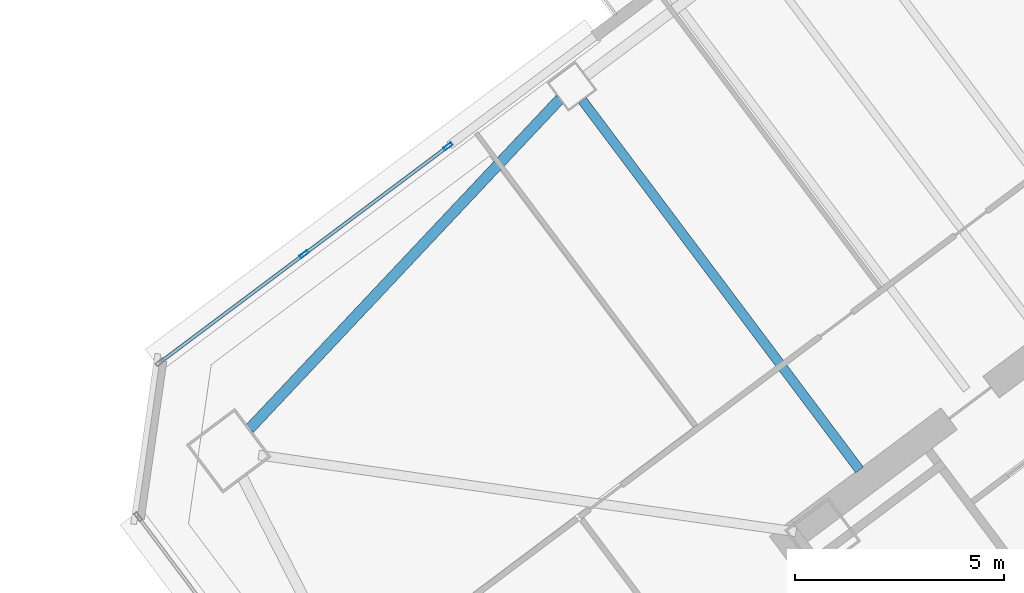
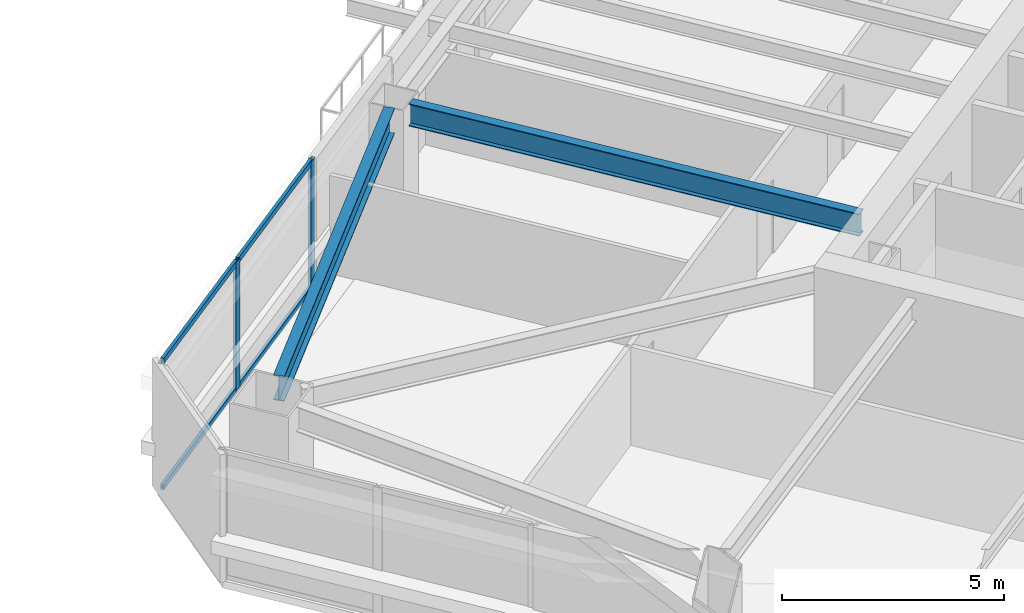
# One storey, part 26 of 44: 6 members, 2 beams, 1 element without a shape of its own.
"""IFC4 building model written with IfcOpenShell, lengths in metres."""

from ifc_helpers import new_model, si_unit, direction, frame, origin, origin_2d, place, context, subcontext, project, spatial, hollow_rectangle, i_section, extrude, material, material_profile, profile_set, type_object, element, aggregate, save


model = new_model("IFC4")

# Units and contexts
model_context = context("Model", 3, precision=1e-05, world=origin(), true_north=direction((0.0, 1.0)))
body_context = subcontext(model_context, "Body", "Model", "MODEL_VIEW")
ifc_project = project(units=[si_unit("LENGTHUNIT", "METRE"), si_unit("AREAUNIT", "SQUARE_METRE"), si_unit("VOLUMEUNIT", "CUBIC_METRE"), si_unit("PLANEANGLEUNIT", "RADIAN"), si_unit("MASSUNIT", "GRAM", prefix="KILO")], contexts=[model_context])

# Site, building, storey
site_placement = place(None, origin())
site = spatial("IfcSite", under=ifc_project, at=site_placement, CompositionType="ELEMENT")
building_placement = place(site_placement, origin())
building = spatial("IfcBuilding", under=site, at=building_placement, Name="Tashvorn Skyway Center", CompositionType="ELEMENT")
storey_placement = place(building_placement, frame((0.0, 0.0, 92.050048828125)))
storey = spatial("IfcBuildingStorey", under=building, at=storey_placement, Name="L24", CompositionType="ELEMENT", Elevation=92.050048828125)

# Beams
ifc_material_1 = material(Name="Steel ASTM A992 Grade 50", Category="steel")
ifc_material_profile_1 = material_profile(ifc_material_1, i_section(OverallWidth=0.22998046875, OverallDepth=0.616943359375, WebThickness=0.01318359375, FlangeThickness=0.022216796875, at=origin_2d()), Name="W24X94")
ifc_profile_set_1 = profile_set([ifc_material_profile_1], Name="Steel ASTM A992 Grade 50")
beam_type_1 = type_object("IfcBeamType", Name="BM-BEAM-W24X94", PredefinedType="BEAM", material=ifc_profile_set_1)
beam_1_placement = place(storey_placement, frame((98.382080078125, 43.823974609375, 3.04150390625), z_axis=(0.599989394744, -0.800007953832, 0.0), x_axis=(0.800007953832, 0.599989394744, 0.0)))
element("IfcBeam", 1, at=beam_1_placement, inside=storey, type_object=beam_type_1, Name="Tower 2 L24 Primary Floor Girder FC-N2", PredefinedType="BEAM", context=body_context, shape_type="SweptSolid", body=[
    extrude(i_section(OverallWidth=0.22998046875, OverallDepth=0.616943359375, WebThickness=0.01318359375, FlangeThickness=0.022216796875, at=origin_2d()), origin(), (0.0, 0.0, 1.0), 11.050048828125),
])
ifc_material_profile_2 = material_profile(ifc_material_1, i_section(OverallWidth=0.256103515625, OverallDepth=0.693115234375, WebThickness=0.014404296875, FlangeThickness=0.023681640625, at=origin_2d()), Name="W27X114")
ifc_profile_set_2 = profile_set([ifc_material_profile_2], Name="Steel ASTM A992 Grade 50")
beam_type_2 = type_object("IfcBeamType", Name="BM-SPANDREL-W27X114", PredefinedType="SPANDREL", material=ifc_profile_set_2)
beam_2_placement = place(storey_placement, frame((97.842041015625, 43.854248046875, 3.00341796875), z_axis=(-0.685484857238, -0.728086883893, 0.0), x_axis=(0.728086883893, -0.685484857238, 0.0)))
element("IfcBeam", 2, at=beam_2_placement, inside=storey, type_object=beam_type_2, Name="Tower 2 L24 Spandrel Beam 09", PredefinedType="SPANDREL", context=body_context, shape_type="SweptSolid", body=[
    extrude(i_section(OverallWidth=0.256103515625, OverallDepth=0.693115234375, WebThickness=0.014404296875, FlangeThickness=0.023681640625, at=origin_2d()), origin(), (0.0, 0.0, 1.0), 10.8369140625),
])

# Curtain wall, members
ifc_material_2 = material(Name="Thermally broken bronze-anodized aluminium 6063-T6", Category="aluminium")
curtain_wall_type = type_object("IfcCurtainWallType", Name="CW-CW-Z2", PredefinedType="NOTDEFINED", material=ifc_material_2)
curtain_wall_placement = place(storey_placement, origin())
curtain_wall = element("IfcCurtainWall", 3, at=curtain_wall_placement, inside=storey, type_object=curtain_wall_type, Name="Tower 2 L24 North Curtain Wall L Glazing Group 1", PredefinedType="NOTDEFINED")
ifc_material_profile_3 = material_profile(ifc_material_2, hollow_rectangle(XDim=0.080078125, YDim=0.219970703125, WallThickness=0.0048828125, at=origin_2d()), Name="ALU-MULL-80x220")
ifc_profile_set_3 = profile_set([ifc_material_profile_3], Name="Thermally broken bronze-anodized aluminium 6063-T6")
member_type_1 = type_object("IfcMemberType", Name="CWM-CW-Z2", PredefinedType="MULLION", material=ifc_profile_set_3)
member_1_placement = place(storey_placement, frame((91.72265625, 40.14208984375, 0.0), z_axis=(0.0, 0.0, 1.0), x_axis=(-0.600001841909, 0.799998618565, 0.0)))
member_1 = element("IfcMember", 4, at=member_1_placement, type_object=member_type_1, Name="CW-Z2 mullion 2", PredefinedType="MULLION", context=body_context, shape_type="SweptSolid", body=[
    extrude(hollow_rectangle(XDim=0.080078125, YDim=0.219970703125, WallThickness=0.0048828125, at=origin_2d()), origin(), (0.0, 0.0, 1.0), 3.550048828125),
])
member_2_placement = place(storey_placement, frame((95.165283203125, 42.72412109375, 0.0), z_axis=(0.0, 0.0, 1.0), x_axis=(-0.600001841909, 0.799998618565, 0.0)))
member_2 = element("IfcMember", 5, at=member_2_placement, type_object=member_type_1, Name="CW-Z2 mullion 3", PredefinedType="MULLION", context=body_context, shape_type="SweptSolid", body=[
    extrude(hollow_rectangle(XDim=0.080078125, YDim=0.219970703125, WallThickness=0.0048828125, at=origin_2d()), origin(), (0.0, 0.0, 1.0), 3.550048828125),
])
ifc_material_profile_4 = material_profile(ifc_material_2, hollow_rectangle(XDim=0.080078125, YDim=0.14990234375, WallThickness=0.00439453125, at=origin_2d()), Name="ALU-TRAN-80x150")
ifc_profile_set_4 = profile_set([ifc_material_profile_4], Name="Thermally broken bronze-anodized aluminium 6063-T6")
member_type_2 = type_object("IfcMemberType", Name="CWT-CW-Z2", PredefinedType="USERDEFINED", material=ifc_profile_set_4)
member_3_placement = place(storey_placement, frame((88.31201171875, 37.583984375, 0.0400390625), z_axis=(0.800006936924, 0.599990750656, 0.0), x_axis=(-0.599990750656, 0.800006936924, 0.0)))
member_3 = element("IfcMember", 6, at=member_3_placement, type_object=member_type_2, Name="CW-Z2 transom 1.1", ObjectType="TRANSOM", PredefinedType="USERDEFINED", context=body_context, shape_type="SweptSolid", body=[
    extrude(hollow_rectangle(XDim=0.080078125, YDim=0.14990234375, WallThickness=0.00439453125, at=origin_2d()), origin(), (0.0, 0.0, 1.0), 4.223388671875),
])
member_4_placement = place(storey_placement, frame((88.31201171875, 37.583984375, 3.510009765625), z_axis=(0.800006936924, 0.599990750656, 0.0), x_axis=(-0.599990750656, 0.800006936924, 0.0)))
member_4 = element("IfcMember", 7, at=member_4_placement, type_object=member_type_2, Name="CW-Z2 transom 1.2", ObjectType="TRANSOM", PredefinedType="USERDEFINED", context=body_context, shape_type="SweptSolid", body=[
    extrude(hollow_rectangle(XDim=0.080078125, YDim=0.14990234375, WallThickness=0.00439453125, at=origin_2d()), origin(), (0.0, 0.0, 1.0), 4.223388671875),
])
member_5_placement = place(storey_placement, frame((91.754638671875, 40.166015625, 0.0400390625), z_axis=(0.800006936924, 0.599990750656, 0.0), x_axis=(-0.599990750656, 0.800006936924, 0.0)))
member_5 = element("IfcMember", 8, at=member_5_placement, type_object=member_type_2, Name="CW-Z2 transom 2.1", ObjectType="TRANSOM", PredefinedType="USERDEFINED", context=body_context, shape_type="SweptSolid", body=[
    extrude(hollow_rectangle(XDim=0.080078125, YDim=0.14990234375, WallThickness=0.00439453125, at=origin_2d()), origin(), (0.0, 0.0, 1.0), 4.223388671875),
])
member_6_placement = place(storey_placement, frame((91.754638671875, 40.166015625, 3.510009765625), z_axis=(0.800006936924, 0.599990750656, 0.0), x_axis=(-0.599990750656, 0.800006936924, 0.0)))
member_6 = element("IfcMember", 9, at=member_6_placement, type_object=member_type_2, Name="CW-Z2 transom 2.2", ObjectType="TRANSOM", PredefinedType="USERDEFINED", context=body_context, shape_type="SweptSolid", body=[
    extrude(hollow_rectangle(XDim=0.080078125, YDim=0.14990234375, WallThickness=0.00439453125, at=origin_2d()), origin(), (0.0, 0.0, 1.0), 4.223388671875),
])
aggregate(curtain_wall, [member_1, member_2, member_3, member_4, member_5, member_6])

save(model, "model.ifc")
